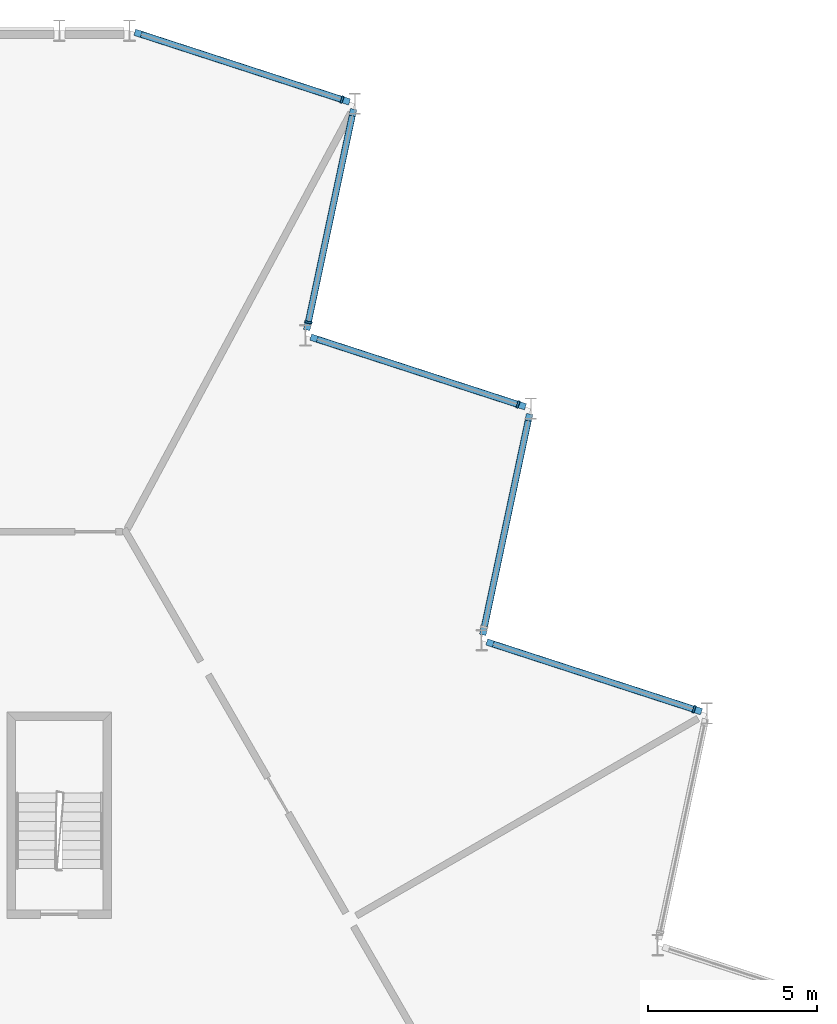
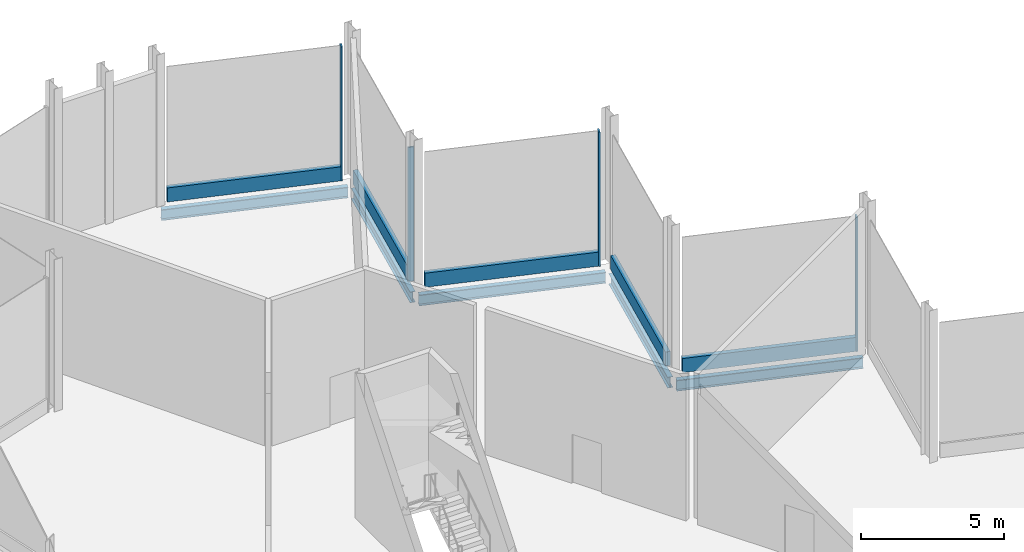
# One storey, part 8 of 12: 9 members, 5 beams, 5 elements without a shape of their own.
"""IFC4 building model written with IfcOpenShell, lengths in metres."""

from ifc_helpers import new_model, si_unit, direction, frame, origin, origin_2d, place, context, subcontext, project, spatial, rectangle, i_section, extrude, material, layer, layer_set, material_profile, profile_set, type_object, element, aggregate, save


model = new_model("IFC4")

# Units and contexts
model_context = context("Model", 3, precision=1e-05, world=origin(), true_north=direction((0.0, 1.0)))
body_context = subcontext(model_context, "Body", "Model", "MODEL_VIEW")
ifc_project = project(units=[si_unit("LENGTHUNIT", "METRE"), si_unit("AREAUNIT", "SQUARE_METRE"), si_unit("VOLUMEUNIT", "CUBIC_METRE"), si_unit("PLANEANGLEUNIT", "RADIAN"), si_unit("MASSUNIT", "GRAM", prefix="KILO")], contexts=[model_context])

# Site, building, storey
site_placement = place(None, origin())
site = spatial("IfcSite", under=ifc_project, at=site_placement, CompositionType="ELEMENT")
building_placement = place(site_placement, origin())
building = spatial("IfcBuilding", under=site, at=building_placement, Name="Cormorant Prow Tower", CompositionType="ELEMENT")
storey_placement = place(building_placement, frame((0.0, 0.0, 415.199951171875)))
storey = spatial("IfcBuildingStorey", under=building, at=storey_placement, Name="L94", CompositionType="ELEMENT", Elevation=415.199951171875)

# Curtain wall, member
ifc_material_1 = material(Name="Aluminium 6063-T6", Category="aluminium")
ifc_layer = layer(ifc_material_1, 0.219970703125)
ifc_layer_set = layer_set([ifc_layer], Name="Aluminium 6063-T6")
curtain_wall_type = type_object("IfcCurtainWallType", Name="Crown unitised curtain wall 220", PredefinedType="NOTDEFINED", material=ifc_layer_set)
curtain_wall_1_placement = place(storey_placement, origin())
curtain_wall_1 = element("IfcCurtainWall", 1, at=curtain_wall_1_placement, inside=storey, type_object=curtain_wall_type, Name="Crown curtain wall crown ENE05", PredefinedType="NOTDEFINED")
ifc_material_2 = material(Name="Aluminium 6063-T6", Category="aluminium")
ifc_material_profile_1 = material_profile(ifc_material_2, rectangle(XDim=0.219970703125, YDim=0.06005859375, at=origin_2d()), Name="Crown mullion 60x220")
ifc_profile_set_1 = profile_set([ifc_material_profile_1], Name="Aluminium 6063-T6")
member_type_1 = type_object("IfcMemberType", Name="Crown mullion 60x220", PredefinedType="MULLION", material=ifc_profile_set_1)
member_1_placement = place(storey_placement, frame((18.751953125, 11.166259765625, 0.0), z_axis=(0.0, 0.0, 1.0), x_axis=(-0.309017066365, -0.951056492904, 0.0)))
member_1 = element("IfcMember", 2, at=member_1_placement, type_object=member_type_1, Name="Crown mullion crown ENE05", PredefinedType="MULLION", context=body_context, shape_type="SweptSolid", body=[
    extrude(rectangle(XDim=0.219970703125, YDim=0.06005859375, at=origin_2d()), origin(), (0.0, 0.0, 1.0), 5.73388671875),
])

curtain_wall_2_placement = place(storey_placement, origin())
curtain_wall_2 = element("IfcCurtainWall", 3, at=curtain_wall_2_placement, inside=storey, type_object=curtain_wall_type, Name="Crown curtain wall crown ENE07", PredefinedType="NOTDEFINED")
member_2_placement = place(storey_placement, frame((13.552001953125, 20.1728515625, 0.0), z_axis=(0.0, 0.0, 1.0), x_axis=(-0.309016937108, -0.951056534902, 0.0)))
member_2 = element("IfcMember", 4, at=member_2_placement, type_object=member_type_1, Name="Crown mullion crown ENE07", PredefinedType="MULLION", context=body_context, shape_type="SweptSolid", body=[
    extrude(rectangle(XDim=0.219970703125, YDim=0.06005859375, at=origin_2d()), origin(), (0.0, 0.0, 1.0), 5.73388671875),
])

curtain_wall_3_placement = place(storey_placement, origin())
curtain_wall_3 = element("IfcCurtainWall", 5, at=curtain_wall_3_placement, inside=storey, type_object=curtain_wall_type, Name="Crown curtain wall crown ENE08", PredefinedType="NOTDEFINED")
member_3_placement = place(storey_placement, frame((7.356201171875, 22.60009765625, 0.0), z_axis=(0.0, 0.0, 1.0), x_axis=(-0.978147615768, 0.207911620089, 0.0)))
member_3 = element("IfcMember", 6, at=member_3_placement, type_object=member_type_1, Name="Crown mullion crown ENE08", PredefinedType="MULLION", context=body_context, shape_type="SweptSolid", body=[
    extrude(rectangle(XDim=0.219970703125, YDim=0.06005859375, at=origin_2d()), origin(), (0.0, 0.0, 1.0), 5.73388671875),
])

curtain_wall_4_placement = place(storey_placement, origin())
curtain_wall_4 = element("IfcCurtainWall", 7, at=curtain_wall_4_placement, inside=storey, type_object=curtain_wall_type, Name="Crown curtain wall crown ENE09", PredefinedType="NOTDEFINED")
member_4_placement = place(storey_placement, frame((8.35205078125, 29.1796875, 0.0), z_axis=(0.0, 0.0, 1.0), x_axis=(-0.309017066365, -0.951056492904, 0.0)))
member_4 = element("IfcMember", 8, at=member_4_placement, type_object=member_type_1, Name="Crown mullion crown ENE09", PredefinedType="MULLION", context=body_context, shape_type="SweptSolid", body=[
    extrude(rectangle(XDim=0.219970703125, YDim=0.06005859375, at=origin_2d()), origin(), (0.0, 0.0, 1.0), 5.73388671875),
])

# Beams
ifc_material_3 = material(Name="Structural steel ASTM A992 Gr 50", Category="steel")
ifc_material_profile_2 = material_profile(ifc_material_3, i_section(OverallWidth=0.19287109375, OverallDepth=0.466064453125, WebThickness=0.011474609375, FlangeThickness=0.01904296875, at=origin_2d()), Name="W18x65")
ifc_profile_set_2 = profile_set([ifc_material_profile_2], Name="Structural steel ASTM A992 Gr 50")
beam_type = type_object("IfcBeamType", Name="Crown ring beam W18x65", PredefinedType="SPANDREL", material=ifc_profile_set_2)
for number, where, z_axis, x_axis, name in (
    (9, (18.973388671875, 11.09423828125, -0.532958984375), (-0.951049666898, 0.309038073858, 0.0), (-0.309038073858, -0.951049666898, 0.0), "Crown ring beam SB5 ENE05-ENE06 L94"),
    (10, (12.5078125, 13.365966796875, -0.532958984375), (0.207919161079, 0.978146012851, 0.0), (-0.978146012851, 0.207919161079, 0.0), "Crown ring beam SB5 ENE06-ENE07 L94"),
):
    element("IfcBeam", number, at=place(storey_placement, frame(where, z_axis=z_axis, x_axis=x_axis)), inside=storey, type_object=beam_type, Name=name, PredefinedType="SPANDREL", context=body_context, shape_type="SweptSolid", body=[
        extrude(i_section(OverallWidth=0.19287109375, OverallDepth=0.466064453125, WebThickness=0.011474609375, FlangeThickness=0.01904296875, at=origin_2d()), origin(), (0.0, 0.0, 1.0), 6.670654296875),
    ])
beam_placement = place(storey_placement, frame((13.7734375, 20.10107421875, -0.532958984375), z_axis=(-0.951063917575, 0.308994214649, 0.0), x_axis=(-0.308994214649, -0.951063917575, 0.0)))
element("IfcBeam", 11, at=beam_placement, inside=storey, type_object=beam_type, Name="Crown ring beam SB5 ENE07-ENE08 L94", PredefinedType="SPANDREL", context=body_context, shape_type="SweptSolid", body=[
    extrude(i_section(OverallWidth=0.19287109375, OverallDepth=0.466064453125, WebThickness=0.011474609375, FlangeThickness=0.01904296875, at=origin_2d()), origin(), (0.0, 0.0, 1.0), 6.6708984375),
])
for number, where, z_axis, x_axis, name in (
    (12, (7.307861328125, 22.37255859375, -0.532958984375), (0.207884143827, 0.978153455622, 0.0), (-0.978153455622, 0.207884143827, 0.0), "Crown ring beam SB5 ENE08-ENE09 L94"),
    (13, (8.5732421875, 29.107666015625, -0.532958984375), (-0.951049666898, 0.309038073858, 0.0), (-0.309038073858, -0.951049666898, 0.0), "Crown ring beam SB5 ENE09-N00 L94"),
):
    element("IfcBeam", number, at=place(storey_placement, frame(where, z_axis=z_axis, x_axis=x_axis)), inside=storey, type_object=beam_type, Name=name, PredefinedType="SPANDREL", context=body_context, shape_type="SweptSolid", body=[
        extrude(i_section(OverallWidth=0.19287109375, OverallDepth=0.466064453125, WebThickness=0.011474609375, FlangeThickness=0.01904296875, at=origin_2d()), origin(), (0.0, 0.0, 1.0), 6.670654296875),
    ])

# Member
ifc_material_4 = material(Name="Terracotta", Category="masonry")
ifc_material_profile_3 = material_profile(ifc_material_4, rectangle(XDim=0.179931640625, YDim=0.60009765625, at=origin_2d()), Name="Crown terracotta spandrel rail 180x600")
ifc_profile_set_3 = profile_set([ifc_material_profile_3], Name="Terracotta")
member_type_2 = type_object("IfcMemberType", Name="Crown terracotta spandrel rail 180x600", PredefinedType="USERDEFINED", material=ifc_profile_set_3)
member_5_placement = place(storey_placement, frame((18.723388671875, 11.175537109375, 0.300048828125), z_axis=(-0.951059797983, 0.309006894194, 0.0), x_axis=(-0.309006894194, -0.951059797983, 0.0)))
member_5 = element("IfcMember", 14, at=member_5_placement, type_object=member_type_2, Name="Crown spandrel rail crown ENE05", ObjectType="TRANSOM", PredefinedType="USERDEFINED", context=body_context, shape_type="SweptSolid", body=[
    extrude(rectangle(XDim=0.179931640625, YDim=0.60009765625, at=origin_2d()), origin(), (0.0, 0.0, 1.0), 6.205322265625),
])

aggregate(curtain_wall_1, [member_1, member_5])

# Curtain wall, member
curtain_wall_5_placement = place(storey_placement, origin())
curtain_wall_5 = element("IfcCurtainWall", 15, at=curtain_wall_5_placement, inside=storey, type_object=curtain_wall_type, Name="Crown curtain wall crown ENE06", PredefinedType="NOTDEFINED")
member_6_placement = place(storey_placement, frame((12.562255859375, 13.622802734375, 0.300048828125), z_axis=(0.207927454003, 0.978144250033, 0.0), x_axis=(-0.978144250033, 0.207927454003, 0.0)))
member_6 = element("IfcMember", 16, at=member_6_placement, type_object=member_type_2, Name="Crown spandrel rail crown ENE06", ObjectType="TRANSOM", PredefinedType="USERDEFINED", context=body_context, shape_type="SweptSolid", body=[
    extrude(rectangle(XDim=0.179931640625, YDim=0.60009765625, at=origin_2d()), origin(), (0.0, 0.0, 1.0), 6.20556640625),
])
aggregate(curtain_wall_5, [member_6])

# Member
member_7_placement = place(storey_placement, frame((13.5234375, 20.18212890625, 0.300048828125), z_axis=(-0.951048234918, 0.309042480672, 0.0), x_axis=(-0.309042480672, -0.951048234918, 0.0)))
member_7 = element("IfcMember", 17, at=member_7_placement, type_object=member_type_2, Name="Crown spandrel rail crown ENE07", ObjectType="TRANSOM", PredefinedType="USERDEFINED", context=body_context, shape_type="SweptSolid", body=[
    extrude(rectangle(XDim=0.179931640625, YDim=0.60009765625, at=origin_2d()), origin(), (0.0, 0.0, 1.0), 6.205322265625),
])

aggregate(curtain_wall_2, [member_2, member_7])

member_8_placement = place(storey_placement, frame((7.3623046875, 22.629638671875, 0.300048828125), z_axis=(0.207935455991, 0.978142548988, 0.0), x_axis=(-0.978142548988, 0.207935455991, 0.0)))
member_8 = element("IfcMember", 18, at=member_8_placement, type_object=member_type_2, Name="Crown spandrel rail crown ENE08", ObjectType="TRANSOM", PredefinedType="USERDEFINED", context=body_context, shape_type="SweptSolid", body=[
    extrude(rectangle(XDim=0.179931640625, YDim=0.60009765625, at=origin_2d()), origin(), (0.0, 0.0, 1.0), 6.205322265625),
])

aggregate(curtain_wall_3, [member_3, member_8])

member_9_placement = place(storey_placement, frame((8.323486328125, 29.18896484375, 0.300048828125), z_axis=(-0.951059797983, 0.309006894194, 0.0), x_axis=(-0.309006894194, -0.951059797983, 0.0)))
member_9 = element("IfcMember", 19, at=member_9_placement, type_object=member_type_2, Name="Crown spandrel rail crown ENE09", ObjectType="TRANSOM", PredefinedType="USERDEFINED", context=body_context, shape_type="SweptSolid", body=[
    extrude(rectangle(XDim=0.179931640625, YDim=0.60009765625, at=origin_2d()), origin(), (0.0, 0.0, 1.0), 6.205322265625),
])

aggregate(curtain_wall_4, [member_4, member_9])

save(model, "model.ifc")
